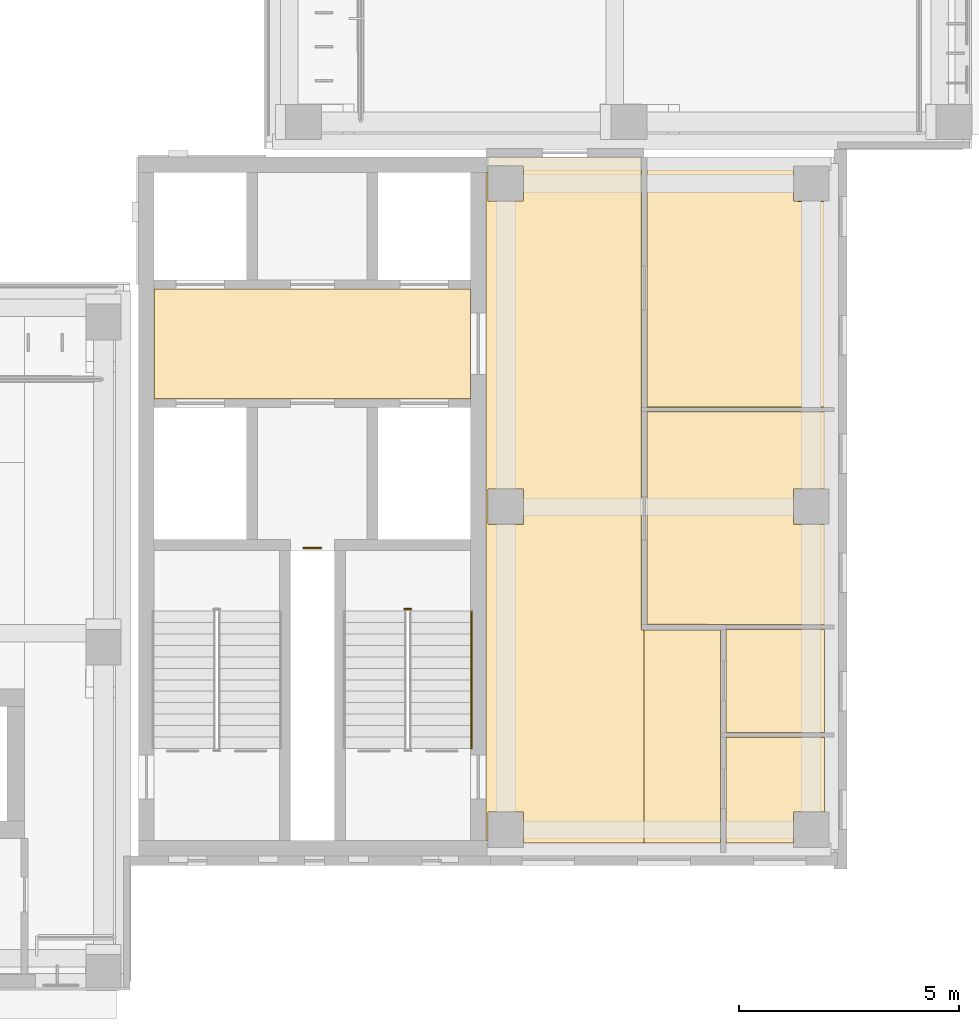
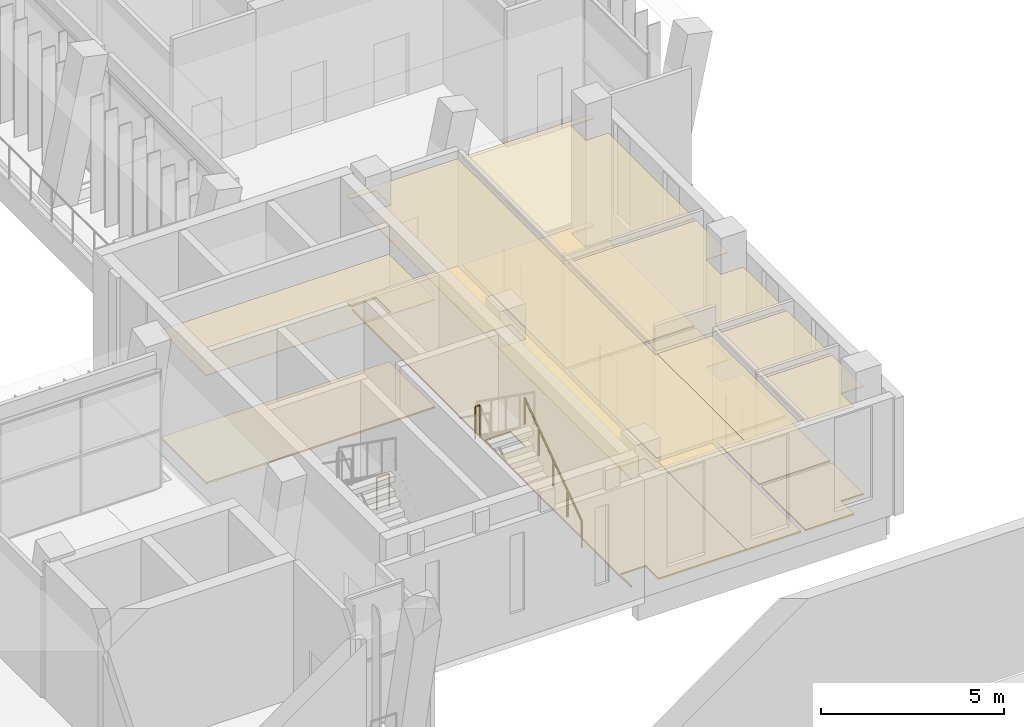
# One storey, part 74 of 89: 14 coverings, 3 railings.
"""IFC4 building model written with IfcOpenShell, lengths in metres."""

from ifc_helpers import new_model, si_unit, direction, frame, origin, origin_2d, place, context, subcontext, project, spatial, polyline, circle, outline, extrude, material, layer, layer_set, type_object, element, save


model = new_model("IFC4")

# Units and contexts
model_context = context("Model", 3, precision=1e-05, world=origin(), true_north=direction((0.0, 1.0)))
body_context = subcontext(model_context, "Body", "Model", "MODEL_VIEW")
ifc_project = project(units=[si_unit("LENGTHUNIT", "METRE"), si_unit("AREAUNIT", "SQUARE_METRE"), si_unit("VOLUMEUNIT", "CUBIC_METRE"), si_unit("PLANEANGLEUNIT", "RADIAN"), si_unit("MASSUNIT", "GRAM", prefix="KILO")], contexts=[model_context])

# Site, building, storey
site_placement = place(None, origin())
site = spatial("IfcSite", under=ifc_project, at=site_placement, CompositionType="ELEMENT")
building_placement = place(site_placement, origin())
building = spatial("IfcBuilding", under=site, at=building_placement, Name="Lantern Court Media Centre", CompositionType="ELEMENT")
storey_placement = place(building_placement, frame((0.0, 0.0, 14.39990234375)))
storey = spatial("IfcBuildingStorey", under=building, at=storey_placement, Name="L03", CompositionType="ELEMENT", Elevation=14.39990234375)

# Coverings
ifc_material_1 = material(Name="Carpet")
ifc_layer_1 = layer(ifc_material_1, 0.050048828125)
ifc_layer_set_1 = layer_set([ifc_layer_1], Name="Carpet")
covering_type_1 = type_object("IfcCoveringType", Name="Carpet floor finish", PredefinedType="FLOORING", material=ifc_layer_set_1)
covering_1_placement = place(storey_placement, origin())
element("IfcCovering", 1, at=covering_1_placement, inside=storey, type_object=covering_type_1, Name="Digital Media Lab floor finish", PredefinedType="FLOORING", context=body_context, shape_type="SweptSolid", body=[
    extrude(outline(polyline([(95.699951171875, 53.264892578125), (91.66748046875, 53.277587890625), (91.66748046875, 58.10400390625), (95.699951171875, 58.10400390625), (95.699951171875, 56.35498046875), (94.9951171875, 56.35009765625), (94.99609375, 55.546875), (95.699951171875, 55.544921875), (95.699951171875, 53.264892578125)])), origin(), (0.0, 0.0, 1.0), 0.050048828125),
])
covering_2_placement = place(storey_placement, origin())
element("IfcCovering", 2, at=covering_2_placement, inside=storey, type_object=covering_type_1, Name="Media Library Reading Room 08 floor finish", PredefinedType="FLOORING", context=body_context, shape_type="SweptSolid", body=[
    extrude(outline(polyline([(95.699951171875, 58.214111328125), (91.66748046875, 58.214111328125), (91.66748046875, 63.89990234375), (95.699951171875, 63.89990234375), (95.699951171875, 63.705078125), (94.9951171875, 63.699951171875), (94.99609375, 62.896728515625), (95.699951171875, 62.89501953125), (95.699951171875, 58.214111328125)])), origin(), (0.0, 0.0, 1.0), 0.050048828125),
])
covering_3_placement = place(storey_placement, origin())
element("IfcCovering", 3, at=covering_3_placement, inside=storey, type_object=covering_type_1, Name="WC Male floor finish", PredefinedType="FLOORING", context=body_context, shape_type="SweptSolid", body=[
    extrude(outline(polyline([(95.699951171875, 49.0048828125), (94.99658203125, 49.00341796875), (94.9951171875, 48.300048828125), (93.467529296875, 48.300048828125), (93.467529296875, 50.699951171875), (95.699951171875, 50.699951171875), (95.699951171875, 49.0048828125)])), origin(), (0.0, 0.0, 1.0), 0.050048828125),
])
covering_4_placement = place(storey_placement, origin())
element("IfcCovering", 4, at=covering_4_placement, inside=storey, type_object=covering_type_1, Name="WC Female floor finish", PredefinedType="FLOORING", context=body_context, shape_type="SweptSolid", body=[
    extrude(outline(polyline([(95.699951171875, 50.81005859375), (93.467529296875, 50.81005859375), (93.467529296875, 53.155029296875), (95.699951171875, 53.155029296875), (95.699951171875, 50.81005859375)])), origin(), (0.0, 0.0, 1.0), 0.050048828125),
])

# Railings
ifc_material_2 = material(Name="Powder-coated steel", Category="steel")
railing_type_1 = type_object("IfcRailingType", Name="Floor edge guard 1100", PredefinedType="GUARDRAIL", material=ifc_material_2)
railing_1_placement = place(storey_placement, frame((83.85009765625, 55.010009765625, 0.0)))
element("IfcRailing", 5, at=railing_1_placement, inside=storey, type_object=railing_type_1, Name="L03 opening guard 91", PredefinedType="GUARDRAIL", context=body_context, shape_type="SweptSolid", body=[
    extrude(circle(Radius=0.02392578125, at=origin_2d()), frame((0.0, 0.0, 1.076171875), z_axis=(1.0, 0.0, 0.0), x_axis=(0.0, 1.0, 0.0)), (0.0, 0.0, 1.0), 0.39990234375),
    extrude(circle(Radius=0.02099609375, at=origin_2d()), origin(), (0.0, 0.0, 1.0), 1.052001953125),
    extrude(circle(Radius=0.02099609375, at=origin_2d()), frame((0.39990234375, 0.0, 0.0)), (0.0, 0.0, 1.0), 1.052001953125),
])
railing_type_2 = type_object("IfcRailingType", Name="Stair guard 1100", PredefinedType="GUARDRAIL", material=ifc_material_2)
railing_2_placement = place(storey_placement, frame((86.300048828125, 53.6201171875, 2.400146484375)))
element("IfcRailing", 6, at=railing_2_placement, inside=storey, type_object=railing_type_2, Name="L03 ST-SEA stair guard 2", PredefinedType="GUARDRAIL", context=body_context, shape_type="SweptSolid", body=[
    extrude(circle(Radius=0.02392578125, at=origin_2d()), frame((0.0, 0.0, 1.076171875), z_axis=(-1.0, 0.0, 0.0), x_axis=(0.0, -1.0, 0.0)), (0.0, 0.0, 1.0), 0.150146484375),
    extrude(circle(Radius=0.02099609375, at=origin_2d()), origin(), (0.0, 0.0, 1.0), 1.052001953125),
    extrude(circle(Radius=0.02099609375, at=origin_2d()), frame((-0.150146484375, 0.0, 0.0)), (0.0, 0.0, 1.0), 1.052001953125),
])
railing_type_3 = type_object("IfcRailingType", Name="Stair handrail 900", PredefinedType="HANDRAIL", material=ifc_material_2)
railing_3_placement = place(storey_placement, frame((87.674072265625, 50.449951171875, 0.184814453125)))
element("IfcRailing", 7, at=railing_3_placement, inside=storey, type_object=railing_type_3, Name="L03 ST-SEA stair handrail 1", PredefinedType="HANDRAIL", context=body_context, shape_type="SweptSolid", body=[
    extrude(circle(Radius=0.02392578125, at=origin_2d()), frame((0.0, 0.0, 0.8759765625), z_axis=(0.0, 0.815376961211, 0.578930402662), x_axis=(-1.0, 0.0, 0.0)), (0.0, 0.0, 1.0), 3.82666015625),
    extrude(circle(Radius=0.02099609375, at=origin_2d()), origin(), (0.0, 0.0, 1.0), 0.851806640625),
    extrude(circle(Radius=0.02099609375, at=origin_2d()), frame((0.0, 0.780029296875, 0.5537109375)), (0.0, 0.0, 1.0), 0.851806640625),
    extrude(circle(Radius=0.02099609375, at=origin_2d()), frame((0.0, 1.56005859375, 1.107666015625)), (0.0, 0.0, 1.0), 0.851806640625),
    extrude(circle(Radius=0.02099609375, at=origin_2d()), frame((0.0, 2.340087890625, 1.66162109375)), (0.0, 0.0, 1.0), 0.851806640625),
    extrude(circle(Radius=0.02099609375, at=origin_2d()), frame((0.0, 3.1201171875, 2.21533203125)), (0.0, 0.0, 1.0), 0.851806640625),
])

# Coverings
ifc_material_3 = material(Name="Mineral fibre ceiling tile")
ifc_layer_2 = layer(ifc_material_3, 0.02001953125)
ifc_layer_set_2 = layer_set([ifc_layer_2], Name="Mineral fibre ceiling tile")
covering_type_2 = type_object("IfcCoveringType", Name="Suspended ceiling tile", PredefinedType="CEILING", material=ifc_layer_set_2)
covering_5_placement = place(storey_placement, frame((0.0, 0.0, 3.60009765625)))
element("IfcCovering", 8, at=covering_5_placement, inside=storey, type_object=covering_type_2, Name="Lift Lobby ceiling", PredefinedType="CEILING", context=body_context, shape_type="SweptSolid", body=[
    extrude(outline(polyline([(80.450439453125, 58.400390625), (80.450439453125, 60.8994140625), (87.6494140625, 60.8994140625), (87.6494140625, 58.400390625), (80.450439453125, 58.400390625)])), origin(), (0.0, 0.0, 1.0), 0.02001953125),
])
covering_6_placement = place(storey_placement, frame((0.0, 0.0, 3.60009765625)))
element("IfcCovering", 9, at=covering_6_placement, inside=storey, type_object=covering_type_2, Name="Corridor ceiling", PredefinedType="CEILING", context=body_context, shape_type="SweptSolid", body=[
    extrude(outline(polyline([(91.60009765625, 48.300048828125), (88.8505859375, 48.300048828125), (88.85009765625, 49.00048828125), (88.049560546875, 49.00048828125), (88.049560546875, 48.3505859375), (88.00048828125, 48.3505859375), (88.00048828125, 63.549560546875), (88.049560546875, 63.549560546875), (88.049560546875, 62.899658203125), (88.8505859375, 62.89990234375), (88.850341796875, 63.700439453125), (88.050537109375, 63.700439453125), (88.050537109375, 63.8994140625), (91.537109375, 63.8994140625), (91.537109375, 53.1474609375), (91.60009765625, 53.14697265625), (91.60009765625, 48.300048828125)]), holes=[polyline([(88.85009765625, 55.549560546875), (88.850341796875, 56.350341796875), (88.049560546875, 56.350341796875), (88.049560546875, 55.549560546875), (88.85009765625, 55.549560546875)])]), origin(), (0.0, 0.0, 1.0), 0.02001953125),
])
covering_7_placement = place(storey_placement, frame((0.0, 0.0, 3.60009765625)))
element("IfcCovering", 10, at=covering_7_placement, inside=storey, type_object=covering_type_2, Name="Digital Media Lab ceiling", PredefinedType="CEILING", context=body_context, shape_type="SweptSolid", body=[
    extrude(outline(polyline([(95.699951171875, 53.260498046875), (91.6630859375, 53.27294921875), (91.6630859375, 58.1083984375), (95.699951171875, 58.1083984375), (95.699951171875, 56.3505859375), (94.99951171875, 56.35009765625), (94.99951171875, 55.549560546875), (95.699951171875, 55.549560546875), (95.699951171875, 53.260498046875)])), origin(), (0.0, 0.0, 1.0), 0.02001953125),
])
covering_8_placement = place(storey_placement, frame((0.0, 0.0, 3.60009765625)))
element("IfcCovering", 11, at=covering_8_placement, inside=storey, type_object=covering_type_2, Name="Media Library Reading Room 08 ceiling", PredefinedType="CEILING", context=body_context, shape_type="SweptSolid", body=[
    extrude(outline(polyline([(95.699951171875, 58.20947265625), (91.6630859375, 58.20947265625), (91.6630859375, 63.89990234375), (95.699951171875, 63.89990234375), (95.699951171875, 63.700439453125), (94.99951171875, 63.699951171875), (94.99951171875, 62.899658203125), (95.699951171875, 62.8994140625), (95.699951171875, 58.20947265625)])), origin(), (0.0, 0.0, 1.0), 0.02001953125),
])
covering_9_placement = place(storey_placement, frame((0.0, 0.0, 3.60009765625)))
element("IfcCovering", 12, at=covering_9_placement, inside=storey, type_object=covering_type_2, Name="WC Lobby ceiling", PredefinedType="CEILING", context=body_context, shape_type="SweptSolid", body=[
    extrude(outline(polyline([(91.60009765625, 48.300048828125), (91.60009765625, 53.14697265625), (93.3369140625, 53.14697265625), (93.3369140625, 48.300048828125), (91.60009765625, 48.300048828125)])), origin(), (0.0, 0.0, 1.0), 0.02001953125),
])
covering_10_placement = place(storey_placement, frame((0.0, 0.0, 3.60009765625)))
element("IfcCovering", 13, at=covering_10_placement, inside=storey, type_object=covering_type_2, Name="WC Male ceiling", PredefinedType="CEILING", context=body_context, shape_type="SweptSolid", body=[
    extrude(outline(polyline([(95.699951171875, 49.00048828125), (94.999755859375, 49.000244140625), (94.99951171875, 48.300048828125), (93.462890625, 48.300048828125), (93.462890625, 50.70458984375), (95.699951171875, 50.70458984375), (95.699951171875, 49.00048828125)])), origin(), (0.0, 0.0, 1.0), 0.02001953125),
])
covering_11_placement = place(storey_placement, frame((0.0, 0.0, 3.60009765625)))
element("IfcCovering", 14, at=covering_11_placement, inside=storey, type_object=covering_type_2, Name="WC Female ceiling", PredefinedType="CEILING", context=body_context, shape_type="SweptSolid", body=[
    extrude(outline(polyline([(95.699951171875, 50.805419921875), (93.462890625, 50.805419921875), (93.462890625, 53.159423828125), (95.699951171875, 53.159423828125), (95.699951171875, 50.805419921875)])), origin(), (0.0, 0.0, 1.0), 0.02001953125),
])
ifc_material_4 = material(Name="Terrazzo")
ifc_layer_3 = layer(ifc_material_4, 0.050048828125)
ifc_layer_set_3 = layer_set([ifc_layer_3], Name="Terrazzo")
covering_type_3 = type_object("IfcCoveringType", Name="Terrazzo floor finish", PredefinedType="FLOORING", material=ifc_layer_set_3)
covering_12_placement = place(storey_placement, origin())
element("IfcCovering", 15, at=covering_12_placement, inside=storey, type_object=covering_type_3, Name="Lift Lobby floor finish", PredefinedType="FLOORING", context=body_context, shape_type="SweptSolid", body=[
    extrude(outline(polyline([(87.64501953125, 60.89501953125), (87.64501953125, 58.405029296875), (80.455078125, 58.405029296875), (80.455078125, 60.89501953125), (87.64501953125, 60.89501953125)])), origin(), (0.0, 0.0, 1.0), 0.050048828125),
])
covering_13_placement = place(storey_placement, origin())
element("IfcCovering", 16, at=covering_13_placement, inside=storey, type_object=covering_type_3, Name="Corridor floor finish", PredefinedType="FLOORING", context=body_context, shape_type="SweptSolid", body=[
    extrude(outline(polyline([(91.60009765625, 48.300048828125), (88.85498046875, 48.300048828125), (88.85009765625, 49.0048828125), (88.046875, 49.00390625), (88.044921875, 48.35498046875), (88.0048828125, 48.35498046875), (88.0048828125, 63.544921875), (88.044921875, 63.544921875), (88.046875, 62.896240234375), (88.85498046875, 62.89990234375), (88.853759765625, 63.703125), (88.054931640625, 63.705078125), (88.054931640625, 63.89501953125), (91.532470703125, 63.89501953125), (91.532470703125, 53.1474609375), (91.60009765625, 53.142578125), (91.60009765625, 48.300048828125)]), holes=[polyline([(88.85009765625, 55.544921875), (88.853515625, 56.353515625), (88.04638671875, 56.353515625), (88.04638671875, 55.54638671875), (88.85009765625, 55.544921875)])]), origin(), (0.0, 0.0, 1.0), 0.050048828125),
])
covering_14_placement = place(storey_placement, origin())
element("IfcCovering", 17, at=covering_14_placement, inside=storey, type_object=covering_type_3, Name="WC Lobby floor finish", PredefinedType="FLOORING", context=body_context, shape_type="SweptSolid", body=[
    extrude(outline(polyline([(91.60009765625, 48.300048828125), (91.60009765625, 53.142578125), (93.33251953125, 53.142578125), (93.33251953125, 48.300048828125), (91.60009765625, 48.300048828125)])), origin(), (0.0, 0.0, 1.0), 0.050048828125),
])

save(model, "model.ifc")
